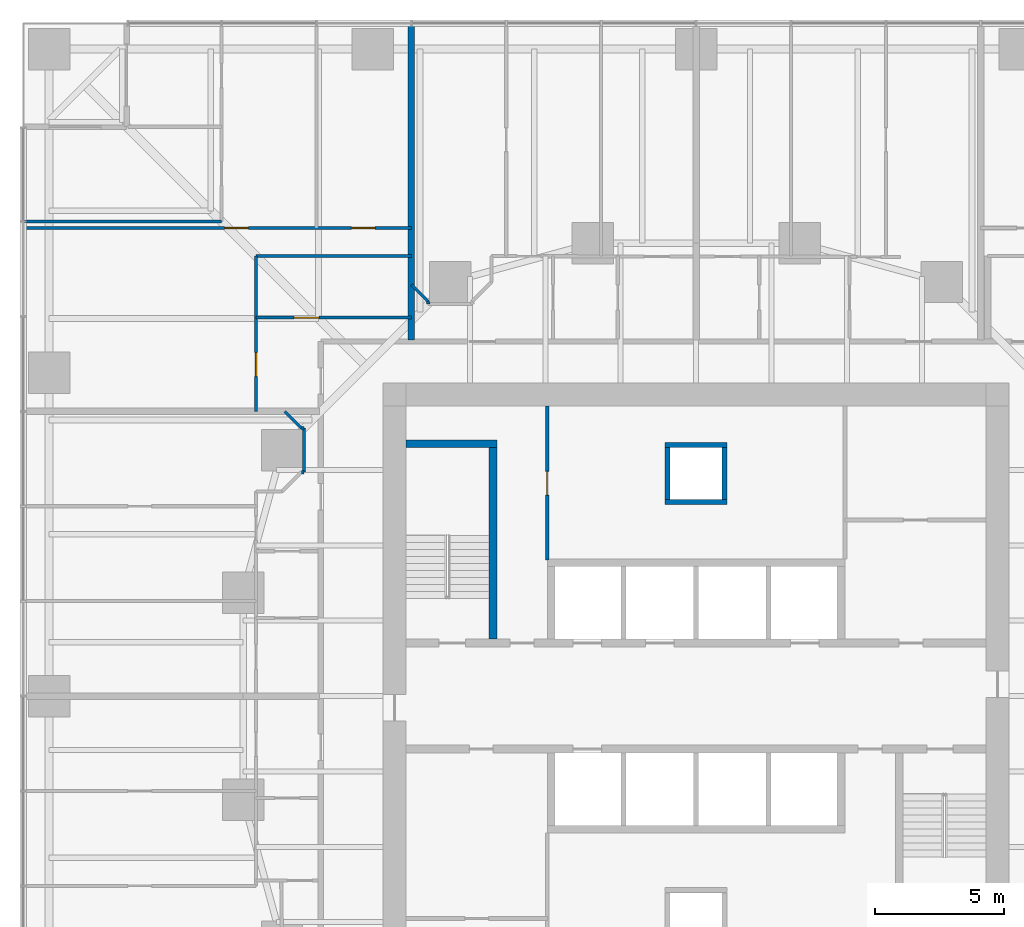
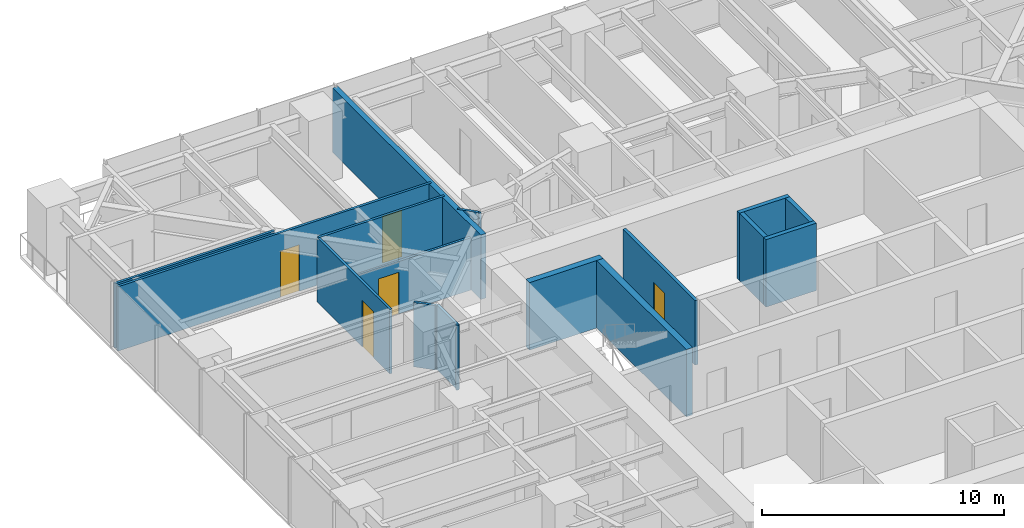
# One storey, part 12 of 17: 19 walls, 5 doors, 5 openings.
"""IFC4 building model written with IfcOpenShell, lengths in metres."""

from ifc_helpers import new_model, si_unit, direction, frame, frame_2d, origin, place, context, subcontext, project, spatial, rectangle, extrude, material, layer, layer_set, type_object, element, fill, save


model = new_model("IFC4")

# Units and contexts
model_context = context("Model", 3, precision=1e-05, world=origin(), true_north=direction((0.0, 1.0)))
body_context = subcontext(model_context, "Body", "Model", "MODEL_VIEW")
ifc_project = project(units=[si_unit("LENGTHUNIT", "METRE"), si_unit("AREAUNIT", "SQUARE_METRE"), si_unit("VOLUMEUNIT", "CUBIC_METRE"), si_unit("PLANEANGLEUNIT", "RADIAN"), si_unit("MASSUNIT", "GRAM", prefix="KILO")], contexts=[model_context])

# Site, building, storey
site_placement = place(None, origin())
site = spatial("IfcSite", under=ifc_project, at=site_placement, CompositionType="ELEMENT")
building_placement = place(site_placement, origin())
building = spatial("IfcBuilding", under=site, at=building_placement, Name="Torsade Residences", CompositionType="ELEMENT")
storey_placement = place(building_placement, frame((0.0, 0.0, 18.39990234375)))
storey = spatial("IfcBuildingStorey", under=building, at=storey_placement, Name="L04", CompositionType="ELEMENT", Elevation=18.39990234375)

# Walls
ifc_material_1 = material(Name="Concrete 80 MPa", Category="concrete")
ifc_layer_1 = layer(ifc_material_1, 0.300048828125)
ifc_layer_set_1 = layer_set([ifc_layer_1], Name="Concrete 80 MPa")
wall_type_1 = type_object("IfcWallType", Name="CORE INTERNAL WALL 300", PredefinedType="SHEAR", material=ifc_layer_set_1)
wall_1_placement = place(storey_placement, frame((32.14990234375, 32.199951171875, 0.0), z_axis=(0.0, 0.0, 1.0), x_axis=(0.0, 1.0, 0.0)))
element("IfcWall", 1, at=wall_1_placement, inside=storey, type_object=wall_type_1, Name="Core wall ST1E L04", PredefinedType="SHEAR", context=body_context, shape_type="SweptSolid", body=[
    extrude(rectangle(XDim=7.699951171875, YDim=0.300048828125, at=frame_2d((3.85009765625, 0.0))), origin(), (0.0, 0.0, 1.0), 3.400146484375),
])
wall_2_placement = place(storey_placement, frame((28.800048828125, 39.75, 0.0), z_axis=(0.0, 0.0, 1.0), x_axis=(1.0, 0.0, 0.0)))
element("IfcWall", 2, at=wall_2_placement, inside=storey, type_object=wall_type_1, Name="Core wall ST1N L04", PredefinedType="SHEAR", context=body_context, shape_type="SweptSolid", body=[
    extrude(rectangle(XDim=3.5, YDim=0.300048828125, at=frame_2d((1.75, 0.0))), origin(), (0.0, 0.0, 1.0), 3.400146484375),
])
ifc_material_2 = material(Name="Plasterboard on steel stud", Category="steel")
ifc_layer_2 = layer(ifc_material_2, 0.1201171875)
ifc_layer_set_2 = layer_set([ifc_layer_2], Name="Plasterboard on steel stud")
wall_type_2 = type_object("IfcWallType", Name="PARTITION 120", PredefinedType="PARTITIONING", material=ifc_layer_set_2)
wall_3_placement = place(storey_placement, frame((29.0, 45.89990234375, 0.0), z_axis=(0.0, 0.0, 1.0), x_axis=(0.707106781187, -0.707106781187, 0.0)))
element("IfcWall", 3, at=wall_3_placement, inside=storey, type_object=wall_type_2, Name="Partition L04", PredefinedType="PARTITIONING", context=body_context, shape_type="SweptSolid", body=[
    extrude(rectangle(XDim=0.919189453125, YDim=0.1201171875, at=frame_2d((0.45947265625, 0.0))), origin(), (0.0, 0.0, 1.0), 3.25),
])

# Wall, opening, door
wall_4_placement = place(storey_placement, frame((23.0, 44.622314453125, 0.0), z_axis=(0.0, 0.0, 1.0), x_axis=(1.0, 0.0, 0.0)))
wall_4 = element("IfcWall", 4, at=wall_4_placement, inside=storey, type_object=wall_type_2, Name="Partition L04", PredefinedType="PARTITIONING", context=body_context, shape_type="SweptSolid", body=[
    extrude(rectangle(XDim=6.0, YDim=0.1201171875, at=frame_2d((3.0, 0.0))), origin(), (0.0, 0.0, 1.0), 2.63818359375),
])
opening_1_placement = place(wall_4_placement, frame((1.469970703125, 0.0, 0.0)))
opening_1 = element("IfcOpeningElement", 5, at=opening_1_placement, cuts=wall_4, Name="Opening D05", PredefinedType="OPENING", context=body_context, shape_type="SweptSolid", body=[
    extrude(rectangle(XDim=0.9599609375, YDim=2.10009765625, at=frame_2d((0.47998046875, 1.050048828125))), frame((0.0, 0.070068359375, 0.0), z_axis=(0.0, -1.0, 0.0), x_axis=(1.0, 0.0, 0.0)), (0.0, 0.0, 1.0), 0.14013671875),
])
ifc_material_3 = material(Name="Hollow-core timber door in a steel cavity frame", Category="steel")
door_type_1 = type_object("IfcDoorType", Name="BATHROOM CAVITY SLIDING DOOR 960", OperationType="SLIDING_TO_LEFT", PredefinedType="DOOR", material=ifc_material_3)
door_1_placement = place(opening_1_placement, origin())
door_1 = element("IfcDoor", 6, at=door_1_placement, inside=storey, type_object=door_type_1, Name="Door Kitchen and dining to Bathroom", OperationType="SLIDING_TO_LEFT", OverallHeight=2.10009765625, OverallWidth=0.9599609375, PredefinedType="DOOR", context=body_context, shape_type="SweptSolid", body=[
    extrude(rectangle(XDim=0.9599609375, YDim=2.10009765625, at=frame_2d((0.47998046875, 1.050048828125))), frame((0.0, 0.02490234375, 0.0), z_axis=(0.0, -1.0, 0.0), x_axis=(1.0, 0.0, 0.0)), (0.0, 0.0, 1.0), 0.050048828125),
])
fill(opening_1, door_1)

wall_5_placement = place(storey_placement, frame((23.0, 41.0, 0.0), z_axis=(0.0, 0.0, 1.0), x_axis=(0.0, 1.0, 0.0)))
wall_5 = element("IfcWall", 7, at=wall_5_placement, inside=storey, type_object=wall_type_2, Name="Partition L04", PredefinedType="PARTITIONING", context=body_context, shape_type="SweptSolid", body=[
    extrude(rectangle(XDim=6.0, YDim=0.1201171875, at=frame_2d((3.0, 0.0))), origin(), (0.0, 0.0, 1.0), 3.25),
])
opening_2_placement = place(wall_5_placement, frame((1.35107421875, 0.0, 0.0)))
opening_2 = element("IfcOpeningElement", 8, at=opening_2_placement, cuts=wall_5, Name="Opening D02", PredefinedType="OPENING", context=body_context, shape_type="SweptSolid", body=[
    extrude(rectangle(XDim=0.919921875, YDim=2.340087890625, at=frame_2d((0.4599609375, 1.169921875))), frame((0.0, 0.070068359375, 0.0), z_axis=(0.0, -1.0, 0.0), x_axis=(1.0, 0.0, 0.0)), (0.0, 0.0, 1.0), 0.14013671875),
])
ifc_material_4 = material(Name="Hollow-core timber door", Category="wood")
door_type_2 = type_object("IfcDoorType", Name="INTERNAL DOOR 920x2340", OperationType="NOTDEFINED", PredefinedType="DOOR", material=ifc_material_4)
door_2_placement = place(opening_2_placement, origin())
door_2 = element("IfcDoor", 9, at=door_2_placement, inside=storey, type_object=door_type_2, Name="Door Kitchen and dining to Living room", OperationType="SINGLE_SWING_LEFT", OverallHeight=2.340087890625, OverallWidth=0.919921875, PredefinedType="DOOR", context=body_context, shape_type="SweptSolid", body=[
    extrude(rectangle(XDim=0.919921875, YDim=2.340087890625, at=frame_2d((0.4599609375, 1.169921875))), frame((0.0, 0.02490234375, 0.0), z_axis=(0.0, -1.0, 0.0), x_axis=(1.0, 0.0, 0.0)), (0.0, 0.0, 1.0), 0.050048828125),
])
fill(opening_2, door_2)

# Wall
wall_6_placement = place(storey_placement, frame((23.0, 47.0, 0.0), z_axis=(0.0, 0.0, 1.0), x_axis=(1.0, 0.0, 0.0)))
element("IfcWall", 10, at=wall_6_placement, inside=storey, type_object=wall_type_2, Name="Partition L04", PredefinedType="PARTITIONING", context=body_context, shape_type="SweptSolid", body=[
    extrude(rectangle(XDim=6.0, YDim=0.1201171875, at=frame_2d((3.0, 0.0))), origin(), (0.0, 0.0, 1.0), 3.25),
])

# Wall, openings, doors
wall_7_placement = place(storey_placement, frame((14.0400390625, 48.089111328125, 0.0), z_axis=(0.0, 0.0, 1.0), x_axis=(1.0, 0.0, 0.0)))
wall_7 = element("IfcWall", 11, at=wall_7_placement, inside=storey, type_object=wall_type_2, Name="Partition L04", PredefinedType="PARTITIONING", context=body_context, shape_type="SweptSolid", body=[
    extrude(rectangle(XDim=14.9599609375, YDim=0.1201171875, at=frame_2d((7.47998046875, 0.0))), origin(), (0.0, 0.0, 1.0), 3.25),
])
opening_3_placement = place(wall_7_placement, frame((7.74169921875, 0.0, 0.0)))
opening_3 = element("IfcOpeningElement", 12, at=opening_3_placement, cuts=wall_7, Name="Opening D02", PredefinedType="OPENING", context=body_context, shape_type="SweptSolid", body=[
    extrude(rectangle(XDim=0.919921875, YDim=2.340087890625, at=frame_2d((0.4599609375, 1.169921875))), frame((0.0, 0.070068359375, 0.0), z_axis=(0.0, -1.0, 0.0), x_axis=(1.0, 0.0, 0.0)), (0.0, 0.0, 1.0), 0.14013671875),
])
opening_4_placement = place(wall_7_placement, frame((12.6416015625, 0.0, 0.0)))
opening_4 = element("IfcOpeningElement", 13, at=opening_4_placement, cuts=wall_7, Name="Opening D02", PredefinedType="OPENING", context=body_context, shape_type="SweptSolid", body=[
    extrude(rectangle(XDim=0.919921875, YDim=2.340087890625, at=frame_2d((0.4599609375, 1.169921875))), frame((0.0, 0.070068359375, 0.0), z_axis=(0.0, -1.0, 0.0), x_axis=(1.0, 0.0, 0.0)), (0.0, 0.0, 1.0), 0.14013671875),
])
door_3_placement = place(opening_3_placement, origin())
door_3 = element("IfcDoor", 14, at=door_3_placement, inside=storey, type_object=door_type_2, Name="Door Living room to Bedroom 1", OperationType="SINGLE_SWING_RIGHT", OverallHeight=2.340087890625, OverallWidth=0.919921875, PredefinedType="DOOR", context=body_context, shape_type="SweptSolid", body=[
    extrude(rectangle(XDim=0.919921875, YDim=2.340087890625, at=frame_2d((0.4599609375, 1.169921875))), frame((0.0, 0.02490234375, 0.0), z_axis=(0.0, -1.0, 0.0), x_axis=(1.0, 0.0, 0.0)), (0.0, 0.0, 1.0), 0.050048828125),
])
fill(opening_3, door_3)
door_4_placement = place(opening_4_placement, origin())
door_4 = element("IfcDoor", 15, at=door_4_placement, inside=storey, type_object=door_type_2, Name="Door Living room to Bedroom 2", OperationType="SINGLE_SWING_RIGHT", OverallHeight=2.340087890625, OverallWidth=0.919921875, PredefinedType="DOOR", context=body_context, shape_type="SweptSolid", body=[
    extrude(rectangle(XDim=0.919921875, YDim=2.340087890625, at=frame_2d((0.4599609375, 1.169921875))), frame((0.0, 0.02490234375, 0.0), z_axis=(0.0, -1.0, 0.0), x_axis=(1.0, 0.0, 0.0)), (0.0, 0.0, 1.0), 0.050048828125),
])
fill(opening_4, door_4)

# Walls
wall_8_placement = place(storey_placement, frame((14.0400390625, 48.333251953125, 0.0), z_axis=(0.0, 0.0, 1.0), x_axis=(1.0, 0.0, 0.0)))
element("IfcWall", 16, at=wall_8_placement, inside=storey, type_object=wall_type_2, Name="Partition L04", PredefinedType="PARTITIONING", context=body_context, shape_type="SweptSolid", body=[
    extrude(rectangle(XDim=7.626708984375, YDim=0.1201171875, at=frame_2d((3.8134765625, 0.0))), origin(), (0.0, 0.0, 1.0), 3.25),
])
wall_9_placement = place(storey_placement, frame((24.85009765625, 38.64990234375, 0.0), z_axis=(0.0, 0.0, 1.0), x_axis=(0.0, 1.0, 0.0)))
element("IfcWall", 17, at=wall_9_placement, inside=storey, type_object=wall_type_2, Name="Partition L04", PredefinedType="PARTITIONING", context=body_context, shape_type="SweptSolid", body=[
    extrude(rectangle(XDim=1.7001953125, YDim=0.1201171875, at=frame_2d((0.85009765625, 0.0))), origin(), (0.0, 0.0, 1.0), 3.25),
])
wall_10_placement = place(storey_placement, frame((24.75, 40.35009765625, 0.0), z_axis=(0.0, 0.0, 1.0), x_axis=(-0.707106781187, 0.707106781187, 0.0)))
element("IfcWall", 18, at=wall_10_placement, inside=storey, type_object=wall_type_2, Name="Partition L04", PredefinedType="PARTITIONING", context=body_context, shape_type="SweptSolid", body=[
    extrude(rectangle(XDim=0.919189453125, YDim=0.1201171875, at=frame_2d((0.45947265625, 0.0))), origin(), (0.0, 0.0, 1.0), 3.25),
])
for number, where, z_axis, x_axis, name in (
    (19, (29.64990234375, 45.14990234375, 0.0), (0.0, 0.0, 1.0), (0.0, 1.0, 0.0), "Partition L04"),
    (20, (24.85009765625, 38.64990234375, 0.0), (0.0, 0.0, 1.0), (-1.0, 0.0, 0.0), "Partition L04"),
    (21, (24.85009765625, 40.35009765625, 0.0), (0.0, 0.0, 1.0), (-1.0, 0.0, 0.0), "Partition L04"),
):
    element("IfcWall", number, at=place(storey_placement, frame(where, z_axis=z_axis, x_axis=x_axis)), inside=storey, type_object=wall_type_2, Name=name, PredefinedType="PARTITIONING", context=body_context, shape_type="SweptSolid", body=[
        extrude(rectangle(XDim=0.10009765625, YDim=0.1201171875, at=frame_2d((0.050048828125, 0.0))), origin(), (0.0, 0.0, 1.0), 3.25),
    ])
ifc_material_5 = material(Name="Masonry-lined stud party wall", Category="masonry")
ifc_layer_3 = layer(ifc_material_5, 0.25)
ifc_layer_set_3 = layer_set([ifc_layer_3], Name="Masonry-lined stud party wall")
wall_type_3 = type_object("IfcWallType", Name="PARTY WALL 250", PredefinedType="PARTITIONING", material=ifc_layer_set_3)
wall_11_placement = place(storey_placement, frame((29.0, 56.0, 0.0), z_axis=(0.0, 0.0, 1.0), x_axis=(0.0, -1.0, 0.0)))
element("IfcWall", 22, at=wall_11_placement, inside=storey, type_object=wall_type_3, Name="Party wall L04", PredefinedType="PARTITIONING", context=body_context, shape_type="SweptSolid", body=[
    extrude(rectangle(XDim=12.239990234375, YDim=0.25, at=frame_2d((6.1201171875, 0.0))), origin(), (0.0, 0.0, 1.0), 3.25),
])
ifc_material_6 = material(Name="Reinforced blockwork", Category="masonry")
ifc_layer_4 = layer(ifc_material_6, 0.199951171875)
ifc_layer_set_4 = layer_set([ifc_layer_4], Name="Reinforced blockwork")
wall_type_4 = type_object("IfcWallType", Name="RISER SHAFT WALL 200", PredefinedType="SOLIDWALL", material=ifc_layer_set_4)
for number, where, z_axis, x_axis, name in (
    (23, (38.89990234375, 37.60009765625, 0.0), (0.0, 0.0, 1.0), (0.0, 1.0, 0.0), "Core wall RS1a L04"),
    (24, (41.10009765625, 37.60009765625, 0.0), (0.0, 0.0, 1.0), (0.0, 1.0, 0.0), "Core wall RS1b L04"),
):
    element("IfcWall", number, at=place(storey_placement, frame(where, z_axis=z_axis, x_axis=x_axis)), inside=storey, type_object=wall_type_4, Name=name, PredefinedType="SOLIDWALL", context=body_context, shape_type="SweptSolid", body=[
        extrude(rectangle(XDim=2.0, YDim=0.199951171875, at=frame_2d((1.0, 0.0))), origin(), (0.0, 0.0, 1.0), 3.400146484375),
    ])
for number, where, z_axis, x_axis, name in (
    (25, (38.800048828125, 37.5, 0.0), (0.0, 0.0, 1.0), (1.0, 0.0, 0.0), "Core wall RS1c L04"),
    (26, (38.800048828125, 39.699951171875, 0.0), (0.0, 0.0, 1.0), (1.0, 0.0, 0.0), "Core wall RS1d L04"),
):
    element("IfcWall", number, at=place(storey_placement, frame(where, z_axis=z_axis, x_axis=x_axis)), inside=storey, type_object=wall_type_4, Name=name, PredefinedType="SOLIDWALL", context=body_context, shape_type="SweptSolid", body=[
        extrude(rectangle(XDim=2.39990234375, YDim=0.199951171875, at=frame_2d((1.199951171875, 0.0))), origin(), (0.0, 0.0, 1.0), 3.400146484375),
    ])

# Wall, opening, door
ifc_material_7 = material(Name="Reinforced blockwork", Category="masonry")
ifc_layer_5 = layer(ifc_material_7, 0.14990234375)
ifc_layer_set_5 = layer_set([ifc_layer_5], Name="Reinforced blockwork")
wall_type_5 = type_object("IfcWallType", Name="SERVICE ROOM WALL 150", PredefinedType="SOLIDWALL", material=ifc_layer_set_5)
wall_12_placement = place(storey_placement, frame((34.25, 41.199951171875, 0.0), z_axis=(0.0, 0.0, 1.0), x_axis=(0.0, -1.0, 0.0)))
wall_12 = element("IfcWall", 27, at=wall_12_placement, inside=storey, type_object=wall_type_5, Name="Service room wall L04", PredefinedType="SOLIDWALL", context=body_context, shape_type="SweptSolid", body=[
    extrude(rectangle(XDim=5.949951171875, YDim=0.14990234375, at=frame_2d((2.97509765625, 0.0))), origin(), (0.0, 0.0, 1.0), 3.25),
])
opening_5_placement = place(wall_12_placement, frame((2.514892578125, 0.0, 0.0)))
opening_5 = element("IfcOpeningElement", 28, at=opening_5_placement, cuts=wall_12, Name="Opening D06", PredefinedType="OPENING", context=body_context, shape_type="SweptSolid", body=[
    extrude(rectangle(XDim=0.919921875, YDim=2.10009765625, at=frame_2d((0.4599609375, 1.050048828125))), frame((0.0, 0.0849609375, 0.0), z_axis=(0.0, -1.0, 0.0), x_axis=(1.0, 0.0, 0.0)), (0.0, 0.0, 1.0), 0.169921875),
])
ifc_material_8 = material(Name="Steel-framed fire door", Category="steel")
door_type_3 = type_object("IfcDoorType", Name="FIRE DOOR 920", OperationType="NOTDEFINED", PredefinedType="DOOR", material=ifc_material_8)
door_5_placement = place(opening_5_placement, origin())
door_5 = element("IfcDoor", 29, at=door_5_placement, inside=storey, type_object=door_type_3, Name="Door Meter store to Electrical riser room", OperationType="SINGLE_SWING_LEFT", OverallHeight=2.10009765625, OverallWidth=0.919921875, PredefinedType="DOOR", context=body_context, shape_type="SweptSolid", body=[
    extrude(rectangle(XDim=0.919921875, YDim=2.10009765625, at=frame_2d((0.4599609375, 1.050048828125))), frame((0.0, 0.02490234375, 0.0), z_axis=(0.0, -1.0, 0.0), x_axis=(1.0, 0.0, 0.0)), (0.0, 0.0, 1.0), 0.050048828125),
])
fill(opening_5, door_5)

save(model, "model.ifc")
